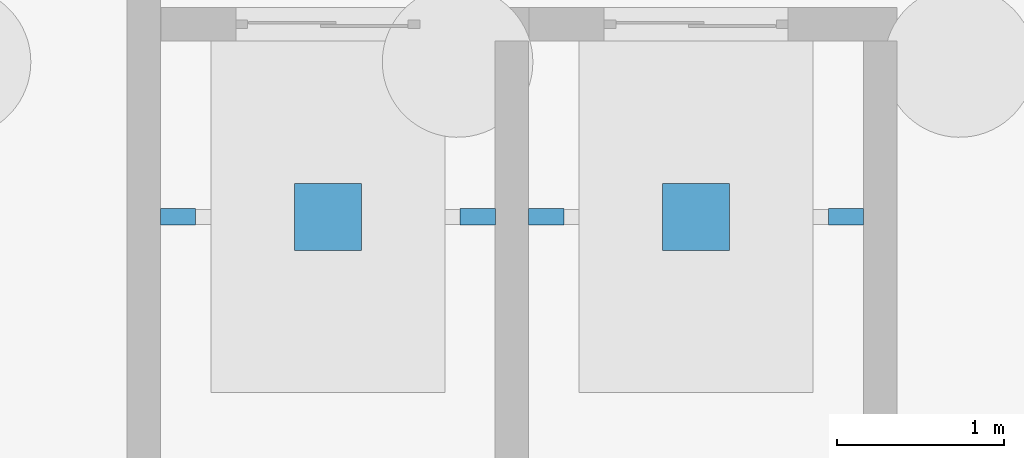
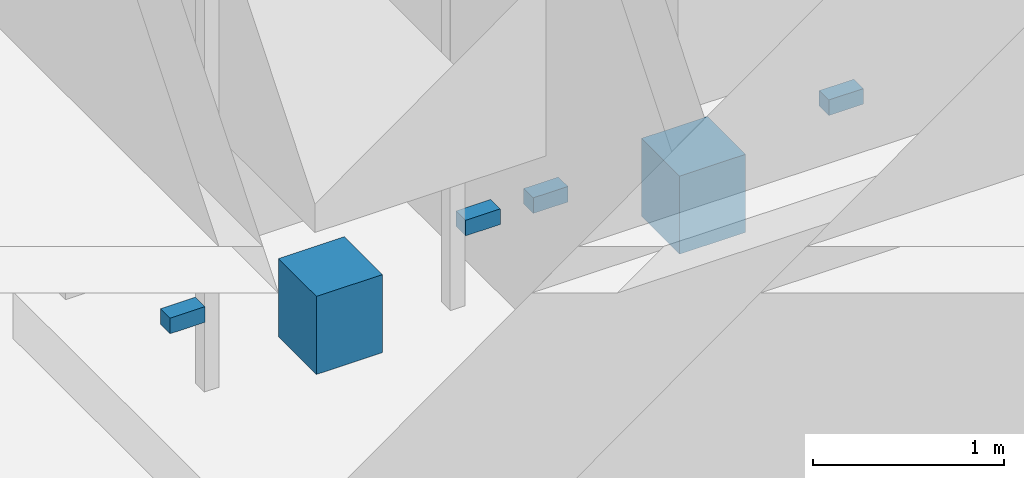
# One storey, part 163 of 250: 6 discrete accessories.
"""IFC4 building model written with IfcOpenShell, lengths in metres."""

from ifc_helpers import new_model, si_unit, direction, frame, origin, origin_2d, place, context, subcontext, project, spatial, rectangle, extrude, material, type_object, element, save


model = new_model("IFC4")

# Units and contexts
model_context = context("Model", 3, precision=1e-05, world=origin(), true_north=direction((0.0, 1.0)))
body_context = subcontext(model_context, "Body", "Model", "MODEL_VIEW")
ifc_project = project(units=[si_unit("LENGTHUNIT", "METRE"), si_unit("AREAUNIT", "SQUARE_METRE"), si_unit("VOLUMEUNIT", "CUBIC_METRE"), si_unit("PLANEANGLEUNIT", "RADIAN"), si_unit("MASSUNIT", "GRAM", prefix="KILO")], contexts=[model_context])

# Site, building, storey
site_placement = place(None, origin())
site = spatial("IfcSite", under=ifc_project, at=site_placement, CompositionType="ELEMENT")
building_placement = place(site_placement, origin())
building = spatial("IfcBuilding", under=site, at=building_placement, Name="Baradari Gate Terminus", CompositionType="ELEMENT")
storey_placement = place(building_placement, origin())
storey = spatial("IfcBuildingStorey", under=building, at=storey_placement, Name="L00", CompositionType="ELEMENT", Elevation=0.0)

# Discrete accessories
ifc_material_1 = material(Name="Steel S355", Category="steel")
discrete_accessory_type_1 = type_object("IfcDiscreteAccessoryType", Name="Lift buffer BF-1 400x400x500", PredefinedType="SHOE", material=ifc_material_1)
for number, where, z_axis, x_axis, name in (
    (1, (32.22509765625, 128.074951171875, -1.60009765625), (0.0, 0.0, 1.0), (1.0, 0.0, 0.0), "Lift buffer LT1"),
    (2, (34.425048828125, 128.074951171875, -1.60009765625), (0.0, 0.0, 1.0), (1.0, 0.0, 0.0), "Lift buffer LT2"),
):
    element("IfcDiscreteAccessory", number, at=place(storey_placement, frame(where, z_axis=z_axis, x_axis=x_axis)), inside=storey, type_object=discrete_accessory_type_1, Name=name, PredefinedType="SHOE", context=body_context, shape_type="SweptSolid", body=[
        extrude(rectangle(XDim=0.39990234375, YDim=0.39990234375, at=origin_2d()), origin(), (0.0, 0.0, 1.0), 0.5),
    ])
ifc_material_2 = material(Name="Steel S355", Category="steel")
discrete_accessory_type_2 = type_object("IfcDiscreteAccessoryType", Name="Lift rail bracket RB-L1 100x100", PredefinedType="BRACKET", material=ifc_material_2)
for number, where, z_axis, x_axis, name in (
    (3, (31.330078125, 128.074951171875, -1.150146484375), (0.0, 0.0, 1.0), (1.0, 0.0, 0.0), "Lift rail bracket LT1 1A"),
    (4, (33.1201171875, 128.074951171875, -1.150146484375), (0.0, 0.0, 1.0), (1.0, 0.0, 0.0), "Lift rail bracket LT1 2A"),
    (5, (33.530029296875, 128.074951171875, -1.150146484375), (0.0, 0.0, 1.0), (1.0, 0.0, 0.0), "Lift rail bracket LT2 1A"),
    (6, (35.320068359375, 128.074951171875, -1.150146484375), (0.0, 0.0, 1.0), (1.0, 0.0, 0.0), "Lift rail bracket LT2 2A"),
):
    element("IfcDiscreteAccessory", number, at=place(storey_placement, frame(where, z_axis=z_axis, x_axis=x_axis)), inside=storey, type_object=discrete_accessory_type_2, Name=name, PredefinedType="BRACKET", context=body_context, shape_type="SweptSolid", body=[
        extrude(rectangle(XDim=0.2099609375, YDim=0.10009765625, at=origin_2d()), origin(), (0.0, 0.0, 1.0), 0.10009765625),
    ])

save(model, "model.ifc")
